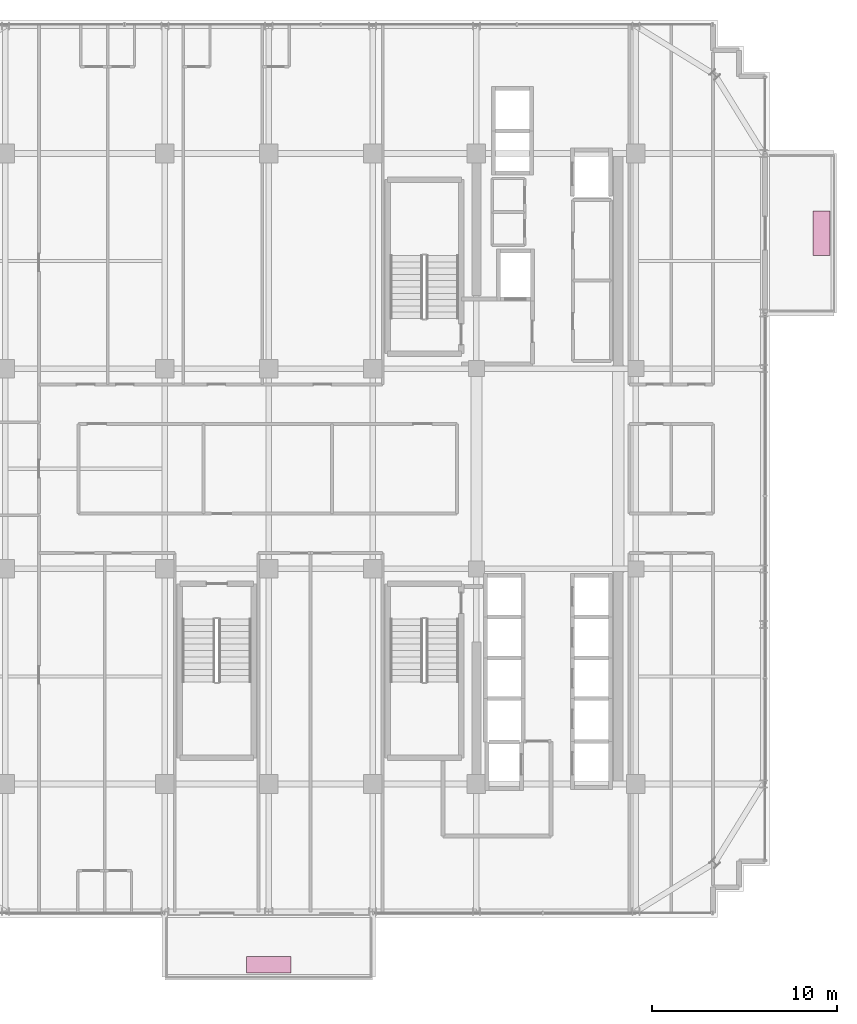
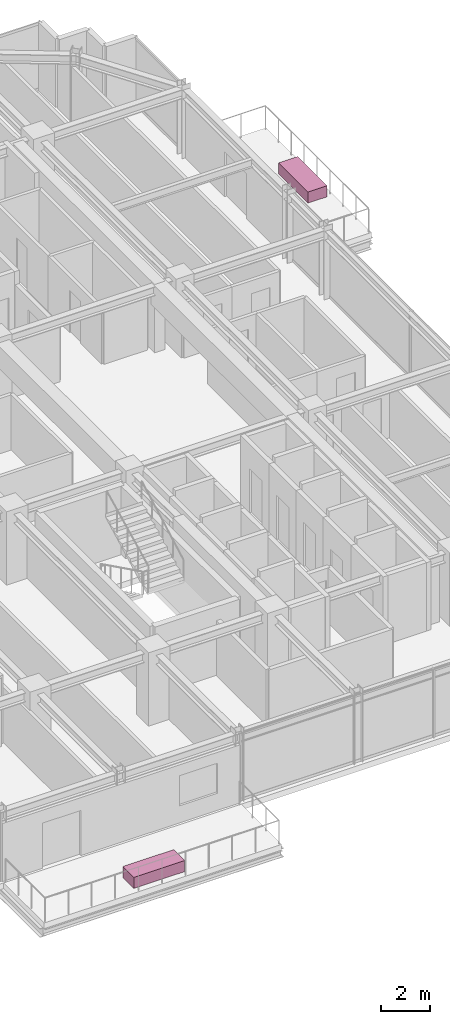
# One storey, part 34 of 34: 2 furnishings.
"""IFC4 building model written with IfcOpenShell, lengths in metres."""

from ifc_helpers import new_model, si_unit, direction, frame, origin, origin_2d, place, context, subcontext, project, spatial, rectangle, extrude, source, transform, mapped, material, type_object, element, save


model = new_model("IFC4")

# Units and contexts
model_context = context("Model", 3, precision=1e-05, world=origin(), true_north=direction((0.0, 1.0)))
body_context = subcontext(model_context, "Body", "Model", "MODEL_VIEW")
ifc_project = project(units=[si_unit("LENGTHUNIT", "METRE"), si_unit("AREAUNIT", "SQUARE_METRE"), si_unit("VOLUMEUNIT", "CUBIC_METRE"), si_unit("PLANEANGLEUNIT", "RADIAN"), si_unit("MASSUNIT", "GRAM", prefix="KILO")], contexts=[model_context])

# Site, building, storey
site_placement = place(None, origin())
site = spatial("IfcSite", under=ifc_project, at=site_placement, CompositionType="ELEMENT")
building_placement = place(site_placement, origin())
building = spatial("IfcBuilding", under=site, at=building_placement, Name="Nahalor Promenade Grand Hotel", CompositionType="ELEMENT")
storey_placement = place(building_placement, frame((0.0, 0.0, 208.60009765625)))
storey = spatial("IfcBuildingStorey", under=building, at=storey_placement, Name="L53", CompositionType="ELEMENT", Elevation=208.60009765625)

# Furnishings
ifc_material = material(Name="Vegetated Volcanic-Lapilli Tree Planter", Category="earth")
furnishing_element_type = type_object("IfcFurnishingElementType", Name="Planter-VerticalForest-Box", material=ifc_material)
shared_shape = source(origin(), body_context, "Body", "SweptSolid", [
    extrude(rectangle(XDim=2.39990234375, YDim=0.89990234375, at=origin_2d()), origin(), (0.0, 0.0, 1.0), 0.550048828125),
])
for number, where, z_axis, x_axis, name in (
    (1, (-2.800048828125, -26.75, 0.0), (0.0, 0.0, 1.0), (1.0, 0.0, 0.0), "L53 Balcony Structural Tree Planter 1"),
    (2, (27.010009765625, 12.699951171875, 0.0), (0.0, 0.0, 1.0), (0.0, 1.0, 0.0), "L53 Balcony Structural Tree Planter 2"),
):
    element("IfcFurnishingElement", number, at=place(storey_placement, frame(where, z_axis=z_axis, x_axis=x_axis)), inside=storey, type_object=furnishing_element_type, Name=name, ObjectType="PLANTER", context=body_context, shape_type="MappedRepresentation", body=[
        mapped(shared_shape, transform((0.0, 0.0, 0.0), scale=1.0)),
    ])

save(model, "model.ifc")
